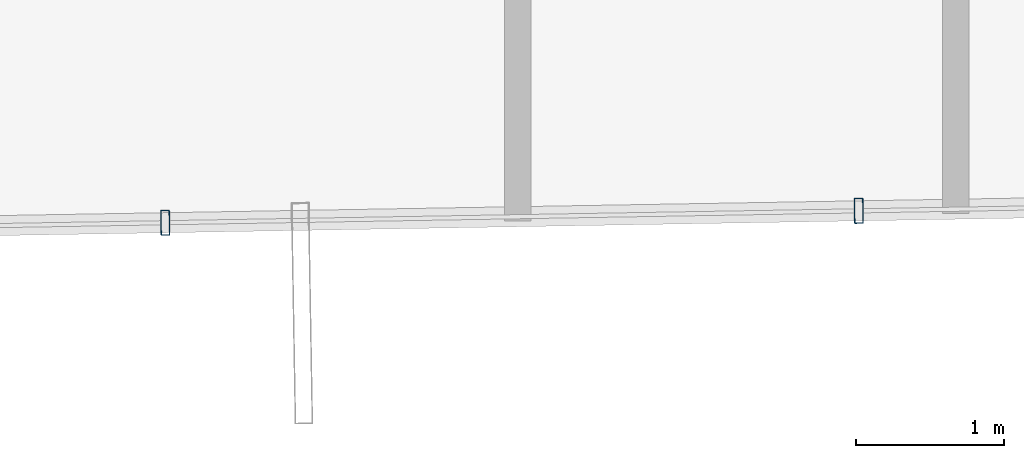
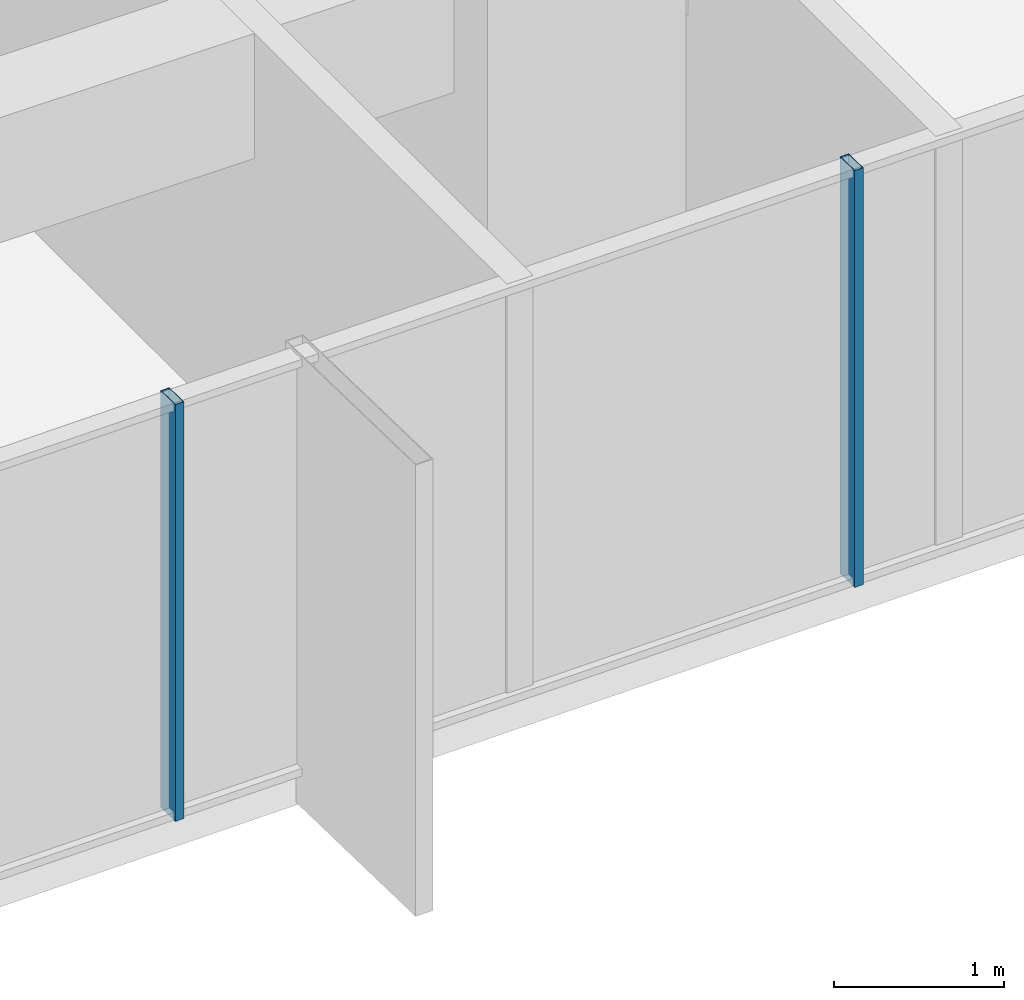
# One storey, part 6 of 39: 2 members, 1 element without a shape of its own.
"""IFC4 building model written with IfcOpenShell, lengths in metres."""

from ifc_helpers import new_model, si_unit, direction, frame, origin, origin_2d, place, context, subcontext, project, spatial, hollow_rectangle, extrude, source, transform, mapped, material, layer, layer_set, material_profile, profile_set, type_object, element, aggregate, save


model = new_model("IFC4")

# Units and contexts
model_context = context("Model", 3, precision=1e-05, world=origin(), true_north=direction((0.0, 1.0)))
body_context = subcontext(model_context, "Body", "Model", "MODEL_VIEW")
ifc_project = project(units=[si_unit("LENGTHUNIT", "METRE"), si_unit("AREAUNIT", "SQUARE_METRE"), si_unit("VOLUMEUNIT", "CUBIC_METRE"), si_unit("PLANEANGLEUNIT", "RADIAN"), si_unit("MASSUNIT", "GRAM", prefix="KILO")], contexts=[model_context])

# Site, building, storey
site_placement = place(None, origin())
site = spatial("IfcSite", under=ifc_project, at=site_placement, CompositionType="ELEMENT")
building_placement = place(site_placement, origin())
building = spatial("IfcBuilding", under=site, at=building_placement, Name="Veraguas Prism Commons", CompositionType="ELEMENT")
storey_placement = place(building_placement, frame((0.0, 0.0, 27.300048828125)))
storey = spatial("IfcBuildingStorey", under=building, at=storey_placement, Name="L06", CompositionType="ELEMENT", Elevation=27.300048828125)

# Curtain wall, members
ifc_material = material(Name="Anodised aluminium EN AW-6063 T6", Category="aluminium")
ifc_layer = layer(ifc_material, 0.169921875, Name="Unitised Flush Curtain Wall Zone 1", Category="aluminium")
ifc_layer_set = layer_set([ifc_layer], Name="Anodised aluminium EN AW-6063 T6")
curtain_wall_type = type_object("IfcCurtainWallType", Name="Unitised Flush Curtain Wall Zone 1", PredefinedType="NOTDEFINED", material=ifc_layer_set)
curtain_wall_placement = place(storey_placement, origin())
curtain_wall = element("IfcCurtainWall", 1, at=curtain_wall_placement, inside=storey, type_object=curtain_wall_type, Name="Tower Facade Curtain Wall L06-F5", PredefinedType="NOTDEFINED")
ifc_material_profile = material_profile(ifc_material, hollow_rectangle(XDim=0.06005859375, YDim=0.169921875, WallThickness=0.00390625, at=origin_2d()), Name="AL60X170X4")
ifc_profile_set = profile_set([ifc_material_profile], Name="Anodised aluminium EN AW-6063 T6")
member_type = type_object("IfcMemberType", Name="Curtain Wall Mullion Lower AL 60x170x4", PredefinedType="MULLION", material=ifc_profile_set)
shared_shape = source(origin(), body_context, "Body", "SweptSolid", [
    extrude(hollow_rectangle(XDim=0.06005859375, YDim=0.169921875, WallThickness=0.00390625, at=origin_2d()), origin(), (0.0, 0.0, 1.0), 3.0),
])
member_1_placement = place(storey_placement, frame((19.68505859375, 3.138427734375, 0.0), z_axis=(0.0, 0.0, 1.0), x_axis=(0.999853696429, 0.017105137769, 0.0)))
member_1 = element("IfcMember", 2, at=member_1_placement, type_object=member_type, Name="CW-Z1 Mullion 2", PredefinedType="MULLION", context=body_context, shape_type="MappedRepresentation", body=[
    mapped(shared_shape, transform((0.0, 0.0, 0.0), scale=1.0)),
])
member_2_placement = place(storey_placement, frame((24.35546875, 3.218505859375, 0.0), z_axis=(0.0, 0.0, 1.0), x_axis=(0.999853696429, 0.017105137769, 0.0)))
member_2 = element("IfcMember", 3, at=member_2_placement, type_object=member_type, Name="CW-Z1 Mullion 3", PredefinedType="MULLION", context=body_context, shape_type="MappedRepresentation", body=[
    mapped(shared_shape, transform((0.0, 0.0, 0.0), scale=1.0)),
])
aggregate(curtain_wall, [member_1, member_2])

save(model, "model.ifc")
